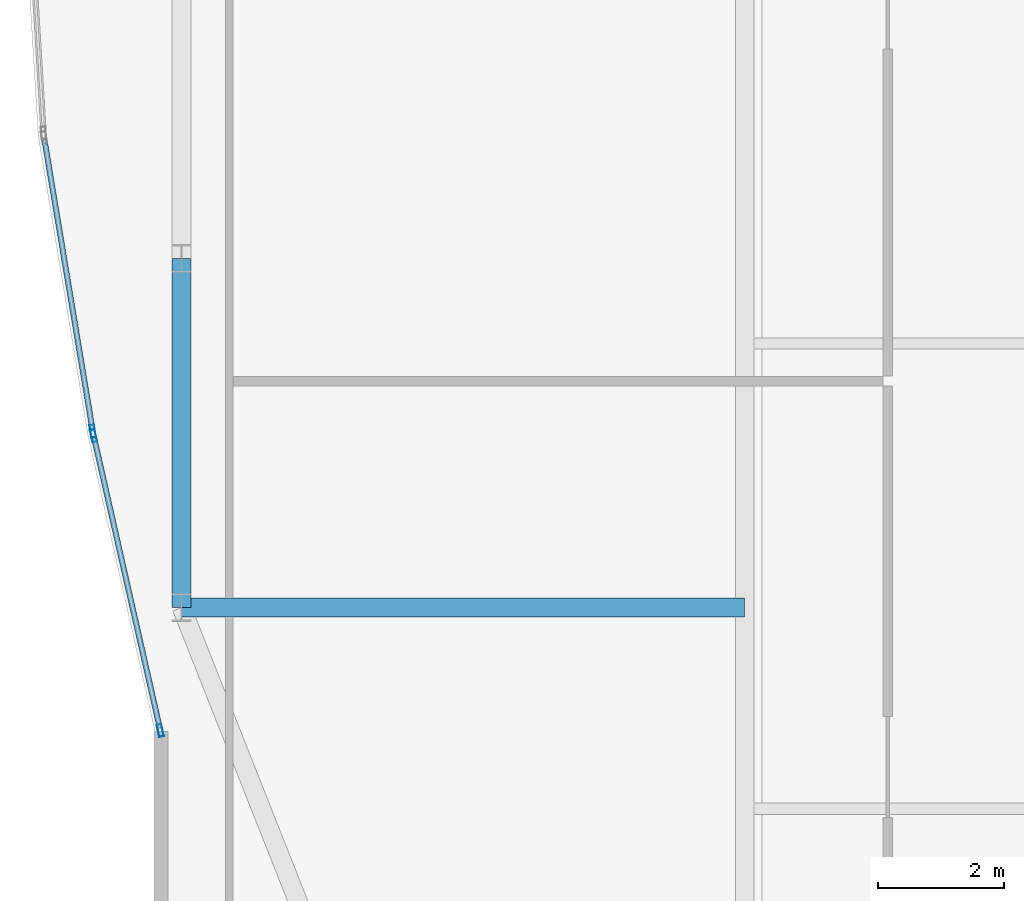
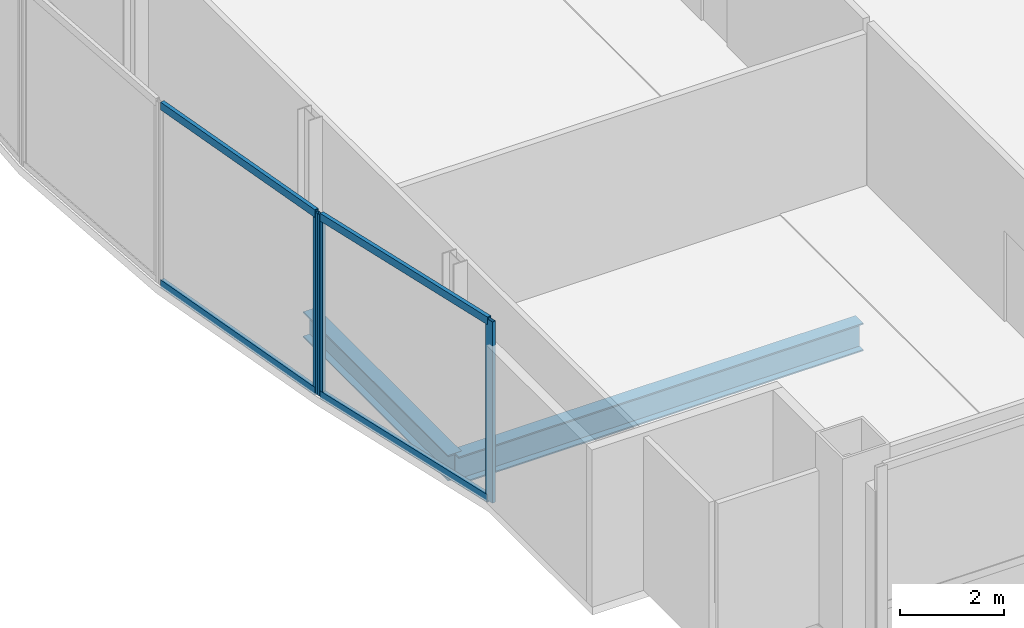
# One storey, part 6 of 28: 7 members, 2 beams, 2 elements without a shape of their own.
"""IFC4 building model written with IfcOpenShell, lengths in metres."""

from ifc_helpers import new_model, si_unit, direction, frame, origin, origin_2d, place, context, subcontext, project, spatial, hollow_rectangle, i_section, extrude, material, material_profile, profile_set, type_object, element, aggregate, save


model = new_model("IFC4")

# Units and contexts
model_context = context("Model", 3, precision=1e-05, world=origin(), true_north=direction((0.0, 1.0)))
body_context = subcontext(model_context, "Body", "Model", "MODEL_VIEW")
ifc_project = project(units=[si_unit("LENGTHUNIT", "METRE"), si_unit("AREAUNIT", "SQUARE_METRE"), si_unit("VOLUMEUNIT", "CUBIC_METRE"), si_unit("PLANEANGLEUNIT", "RADIAN"), si_unit("MASSUNIT", "GRAM", prefix="KILO")], contexts=[model_context])

# Site, building, storey
site_placement = place(None, origin())
site = spatial("IfcSite", under=ifc_project, at=site_placement, CompositionType="ELEMENT")
building_placement = place(site_placement, origin())
building = spatial("IfcBuilding", under=site, at=building_placement, Name="Khoronbel Lancet Exchange", CompositionType="ELEMENT")
storey_placement = place(building_placement, frame((0.0, 0.0, 265.39990234375)))
storey = spatial("IfcBuildingStorey", under=building, at=storey_placement, Name="L68", CompositionType="ELEMENT", Elevation=265.39990234375)

# Beams
ifc_material_1 = material(Name="Steel S355", Category="steel")
ifc_material_profile_1 = material_profile(ifc_material_1, i_section(OverallWidth=0.300048828125, OverallDepth=0.64990234375, WebThickness=0.01611328125, FlangeThickness=0.031005859375, at=origin_2d()), Name="HEB 650")
ifc_profile_set_1 = profile_set([ifc_material_profile_1], Name="Steel S355")
beam_type_1 = type_object("IfcBeamType", Name="BM-BG4", PredefinedType="BEAM", material=ifc_profile_set_1)
beam_1_placement = place(storey_placement, frame((9.27001953125, 19.199951171875, -0.52490234375), z_axis=(1.0, 0.0, 0.0), x_axis=(0.0, 1.0, 0.0)))
element("IfcBeam", 1, at=beam_1_placement, inside=storey, type_object=beam_type_1, Name="Level L68 west lens tie girder LG1W", PredefinedType="BEAM", context=body_context, shape_type="SweptSolid", body=[
    extrude(i_section(OverallWidth=0.300048828125, OverallDepth=0.64990234375, WebThickness=0.01611328125, FlangeThickness=0.031005859375, at=origin_2d()), origin(), (0.0, 0.0, 1.0), 8.955078125),
])
ifc_material_profile_2 = material_profile(ifc_material_1, i_section(OverallWidth=0.300048828125, OverallDepth=0.60009765625, WebThickness=0.015380859375, FlangeThickness=0.030029296875, at=origin_2d()), Name="HEB 600")
ifc_profile_set_2 = profile_set([ifc_material_profile_2], Name="Steel S355")
beam_type_2 = type_object("IfcBeamType", Name="BM-BSP2", PredefinedType="SPANDREL", material=ifc_profile_set_2)
beam_2_placement = place(storey_placement, frame((9.27001953125, 24.75, -0.5), z_axis=(0.0, -1.0, 0.0), x_axis=(1.0, 0.0, 0.0)))
element("IfcBeam", 2, at=beam_2_placement, inside=storey, type_object=beam_type_2, Name="Level L68 perimeter spandrel beam SP20", PredefinedType="SPANDREL", context=body_context, shape_type="SweptSolid", body=[
    extrude(i_section(OverallWidth=0.300048828125, OverallDepth=0.60009765625, WebThickness=0.015380859375, FlangeThickness=0.030029296875, at=origin_2d()), origin(), (0.0, 0.0, 1.0), 5.550048828125),
])

# Curtain wall, members
ifc_material_2 = material(Name="Low-E Solar Control Insulating Glass", Category="glass")
curtain_wall_type = type_object("IfcCurtainWallType", Name="CW-4", PredefinedType="NOTDEFINED", material=ifc_material_2)
curtain_wall_1_placement = place(storey_placement, origin())
curtain_wall_1 = element("IfcCurtainWall", 3, at=curtain_wall_1_placement, inside=storey, type_object=curtain_wall_type, Name="Unitised curtain wall CW-L68-E04", PredefinedType="NOTDEFINED")
ifc_material_3 = material(Name="Bronze-Anodised Aluminium 6063-T6", Category="aluminium")
ifc_material_profile_3 = material_profile(ifc_material_3, hollow_rectangle(XDim=0.074951171875, YDim=0.199951171875, WallThickness=0.0048828125, at=origin_2d()), Name="ALU MULLION 75x200")
ifc_profile_set_3 = profile_set([ifc_material_profile_3], Name="Bronze-Anodised Aluminium 6063-T6")
member_type_1 = type_object("IfcMemberType", Name="MEM-CWM2", PredefinedType="MULLION", material=ifc_profile_set_3)
member_1_placement = place(storey_placement, frame((8.931640625, 17.24658203125, 0.0), z_axis=(0.0, 0.0, 1.0), x_axis=(-0.97533545571, -0.220727770874, 0.0)))
member_1 = element("IfcMember", 4, at=member_1_placement, type_object=member_type_1, Name="CW4 mullion 1", PredefinedType="MULLION", context=body_context, shape_type="SweptSolid", body=[
    extrude(hollow_rectangle(XDim=0.074951171875, YDim=0.199951171875, WallThickness=0.0048828125, at=origin_2d()), origin(), (0.0, 0.0, 1.0), 4.239990234375),
])
member_2_placement = place(storey_placement, frame((7.87158203125, 21.9306640625, 0.0), z_axis=(0.0, 0.0, 1.0), x_axis=(-0.97533545571, -0.220727770874, 0.0)))
member_2 = element("IfcMember", 5, at=member_2_placement, type_object=member_type_1, Name="CW4 mullion 2", PredefinedType="MULLION", context=body_context, shape_type="SweptSolid", body=[
    extrude(hollow_rectangle(XDim=0.074951171875, YDim=0.199951171875, WallThickness=0.0048828125, at=origin_2d()), origin(), (0.0, 0.0, 1.0), 4.239990234375),
])

# Curtain wall, member
curtain_wall_2_placement = place(storey_placement, origin())
curtain_wall_2 = element("IfcCurtainWall", 6, at=curtain_wall_2_placement, inside=storey, type_object=curtain_wall_type, Name="Unitised curtain wall CW-L68-E05", PredefinedType="NOTDEFINED")
member_3_placement = place(storey_placement, frame((7.857177734375, 22.00439453125, 0.0), z_axis=(0.0, 0.0, 1.0), x_axis=(-0.986550884803, -0.163454433086, 0.0)))
member_3 = element("IfcMember", 7, at=member_3_placement, type_object=member_type_1, Name="CW4 mullion 1", PredefinedType="MULLION", context=body_context, shape_type="SweptSolid", body=[
    extrude(hollow_rectangle(XDim=0.074951171875, YDim=0.199951171875, WallThickness=0.0048828125, at=origin_2d()), origin(), (0.0, 0.0, 1.0), 4.239990234375),
])

# Member
ifc_material_profile_4 = material_profile(ifc_material_3, hollow_rectangle(XDim=0.0849609375, YDim=0.179931640625, WallThickness=0.0048828125, at=origin_2d()), Name="ALU TRANSOM 85x180")
ifc_profile_set_4 = profile_set([ifc_material_profile_4], Name="Bronze-Anodised Aluminium 6063-T6")
member_type_2 = type_object("IfcMemberType", Name="MEM-CWT1", PredefinedType="USERDEFINED", material=ifc_profile_set_4)
member_4_placement = place(storey_placement, frame((8.92333984375, 17.283203125, 0.04248046875), z_axis=(-0.220723693805, 0.975336378381, 0.0), x_axis=(-0.975336378381, -0.220723693805, 0.0)))
member_4 = element("IfcMember", 8, at=member_4_placement, type_object=member_type_2, Name="CW4 transom 1.1", ObjectType="TRANSOM", PredefinedType="USERDEFINED", context=body_context, shape_type="SweptSolid", body=[
    extrude(hollow_rectangle(XDim=0.0849609375, YDim=0.179931640625, WallThickness=0.0048828125, at=origin_2d()), origin(), (0.0, 0.0, 1.0), 4.7275390625),
])

member_5_placement = place(storey_placement, frame((8.92333984375, 17.283203125, 4.197509765625), z_axis=(-0.220723693805, 0.975336378381, 0.0), x_axis=(-0.975336378381, -0.220723693805, 0.0)))
member_5 = element("IfcMember", 9, at=member_5_placement, type_object=member_type_2, Name="CW4 transom 1.2", ObjectType="TRANSOM", PredefinedType="USERDEFINED", context=body_context, shape_type="SweptSolid", body=[
    extrude(hollow_rectangle(XDim=0.0849609375, YDim=0.179931640625, WallThickness=0.0048828125, at=origin_2d()), origin(), (0.0, 0.0, 1.0), 4.7275390625),
])

aggregate(curtain_wall_1, [member_1, member_2, member_4, member_5])

member_6_placement = place(storey_placement, frame((7.85107421875, 22.041259765625, 0.04248046875), z_axis=(-0.163438390416, 0.986553542662, 0.0), x_axis=(-0.986553542662, -0.163438390416, 0.0)))
member_6 = element("IfcMember", 10, at=member_6_placement, type_object=member_type_2, Name="CW4 transom 1.1", ObjectType="TRANSOM", PredefinedType="USERDEFINED", context=body_context, shape_type="SweptSolid", body=[
    extrude(hollow_rectangle(XDim=0.0849609375, YDim=0.179931640625, WallThickness=0.0048828125, at=origin_2d()), origin(), (0.0, 0.0, 1.0), 4.65771484375),
])

member_7_placement = place(storey_placement, frame((7.85107421875, 22.041259765625, 4.197509765625), z_axis=(-0.163438390416, 0.986553542662, 0.0), x_axis=(-0.986553542662, -0.163438390416, 0.0)))
member_7 = element("IfcMember", 11, at=member_7_placement, type_object=member_type_2, Name="CW4 transom 1.2", ObjectType="TRANSOM", PredefinedType="USERDEFINED", context=body_context, shape_type="SweptSolid", body=[
    extrude(hollow_rectangle(XDim=0.0849609375, YDim=0.179931640625, WallThickness=0.0048828125, at=origin_2d()), origin(), (0.0, 0.0, 1.0), 4.65771484375),
])

aggregate(curtain_wall_2, [member_3, member_6, member_7])

save(model, "model.ifc")
